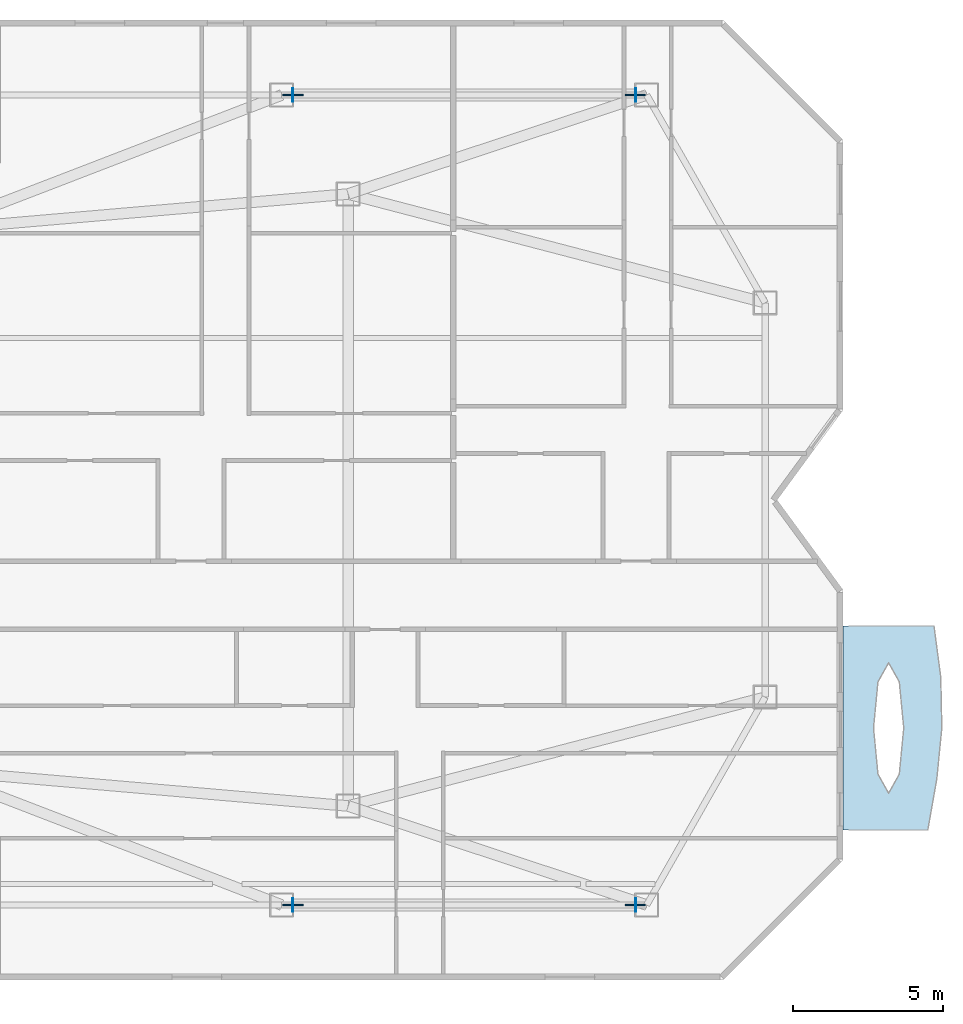
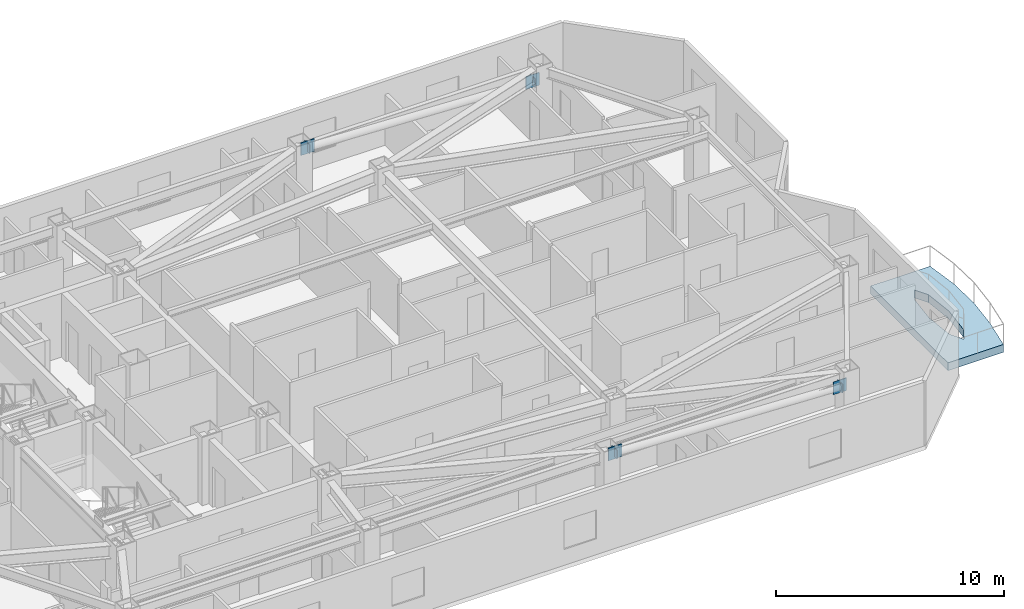
# One storey, part 3 of 11: 8 plates, 1 slab.
"""IFC4 building model written with IfcOpenShell, lengths in metres."""

from ifc_helpers import new_model, si_unit, direction, frame, origin, origin_2d, place, context, subcontext, project, spatial, polyline, rectangle, outline, extrude, material, layer, layer_set, type_object, element, save


model = new_model("IFC4")

# Units and contexts
model_context = context("Model", 3, precision=1e-05, world=origin(), true_north=direction((0.0, 1.0)))
body_context = subcontext(model_context, "Body", "Model", "MODEL_VIEW")
ifc_project = project(units=[si_unit("LENGTHUNIT", "METRE"), si_unit("AREAUNIT", "SQUARE_METRE"), si_unit("VOLUMEUNIT", "CUBIC_METRE"), si_unit("PLANEANGLEUNIT", "RADIAN"), si_unit("MASSUNIT", "GRAM", prefix="KILO")], contexts=[model_context])

# Site, building, storey
site_placement = place(None, origin())
site = spatial("IfcSite", under=ifc_project, at=site_placement, CompositionType="ELEMENT")
building_placement = place(site_placement, origin())
building = spatial("IfcBuilding", under=site, at=building_placement, Name="Khamvora Tower", CompositionType="ELEMENT")
storey_placement = place(building_placement, frame((0.0, 0.0, 239.10009765625)))
storey = spatial("IfcBuildingStorey", under=building, at=storey_placement, Name="L61", CompositionType="ELEMENT", Elevation=239.10009765625)

# Plates
ifc_material_1 = material(Name="Steel S355", Category="steel")
ifc_layer_1 = layer(ifc_material_1, 0.02490234375)
ifc_layer_set_1 = layer_set([ifc_layer_1], Name="Steel S355")
plate_type_1 = type_object("IfcPlateType", Name="PL-CAP-25", PredefinedType="SHEET", material=ifc_layer_set_1)
for number, where, z_axis, x_axis, name in (
    (1, (62.882080078125, 14.5, 2.4619140625), (0.0, 0.0, 1.0), (-1.0, 0.0, 0.0), "L61 hollow section steel end cap plate 1154"),
    (2, (51.450927734375, 14.5, 2.9150390625), (0.0, 0.0, 1.0), (-1.0, 0.0, 0.0), "L61 hollow section steel end cap plate 1155"),
    (3, (62.882080078125, 41.5, 2.4619140625), (0.0, 0.0, 1.0), (-1.0, 0.0, 0.0), "L61 hollow section steel end cap plate 1156"),
    (4, (51.450927734375, 41.5, 2.9150390625), (0.0, 0.0, 1.0), (-1.0, 0.0, 0.0), "L61 hollow section steel end cap plate 1157"),
):
    element("IfcPlate", number, at=place(storey_placement, frame(where, z_axis=z_axis, x_axis=x_axis)), inside=storey, type_object=plate_type_1, Name=name, PredefinedType="SHEET", context=body_context, shape_type="SweptSolid", body=[
        extrude(rectangle(XDim=0.02490234375, YDim=0.466064453125, at=origin_2d()), origin(), (0.0, 0.0, 1.0), 0.466064453125),
    ])
ifc_material_2 = material(Name="Steel S460", Category="steel")
ifc_layer_2 = layer(ifc_material_2, 0.0400390625)
ifc_layer_set_2 = layer_set([ifc_layer_2], Name="Steel S460")
plate_type_2 = type_object("IfcPlateType", Name="PLT-GUS-40", PredefinedType="SHEET", material=ifc_layer_set_2)
for number, where, z_axis, x_axis, name in (
    (5, (62.8701171875, 14.5, 2.35498046875), (0.0, 0.0, 1.0), (1.0, 0.0, 0.0), "L61 brace connection node gusset plate 0397"),
    (6, (51.462890625, 14.5, 2.80810546875), (0.0, 0.0, 1.0), (1.0, 0.0, 0.0), "L61 brace connection node gusset plate 0398"),
    (7, (62.8701171875, 41.5, 2.35498046875), (0.0, 0.0, 1.0), (1.0, 0.0, 0.0), "L61 brace connection node gusset plate 0399"),
    (8, (51.462890625, 41.5, 2.80810546875), (0.0, 0.0, 1.0), (1.0, 0.0, 0.0), "L61 brace connection node gusset plate 0400"),
):
    element("IfcPlate", number, at=place(storey_placement, frame(where, z_axis=z_axis, x_axis=x_axis)), inside=storey, type_object=plate_type_2, Name=name, PredefinedType="SHEET", context=body_context, shape_type="SweptSolid", body=[
        extrude(rectangle(XDim=0.679931640625, YDim=0.0400390625, at=origin_2d()), origin(), (0.0, 0.0, 1.0), 0.679931640625),
    ])

# Slab
ifc_material_3 = material(Name="Concrete C40/50", Category="concrete")
ifc_layer_3 = layer(ifc_material_3, 0.419921875)
ifc_layer_set_3 = layer_set([ifc_layer_3], Name="Concrete C40/50")
slab_type = type_object("IfcSlabType", Name="SLB-GRD-420", PredefinedType="FLOOR", material=ifc_layer_set_3)
slab_placement = place(storey_placement, frame((0.0, 0.0, -0.420166015625)))
element("IfcSlab", 9, at=slab_placement, inside=storey, type_object=slab_type, Name="L61 external lens gallery slab EL1", PredefinedType="FLOOR", context=body_context, shape_type="SweptSolid", body=[
    extrude(outline(polyline([(72.6201171875, 17.0), (72.919921875, 18.699951171875), (73.087890625, 20.39990234375), (73.052001953125, 22.10009765625), (72.826904296875, 23.800048828125), (69.800048828125, 23.800048828125), (69.800048828125, 17.0), (72.6201171875, 17.0)]), holes=[polyline([(71.819091796875, 20.39990234375), (71.6708984375, 21.93896484375), (71.31494140625, 22.575927734375), (70.958984375, 21.93896484375), (70.81103515625, 20.39990234375), (70.958984375, 18.861083984375), (71.31494140625, 18.22412109375), (71.6708984375, 18.861083984375), (71.819091796875, 20.39990234375)])]), origin(), (0.0, 0.0, 1.0), 0.420166015625),
])

save(model, "model.ifc")
